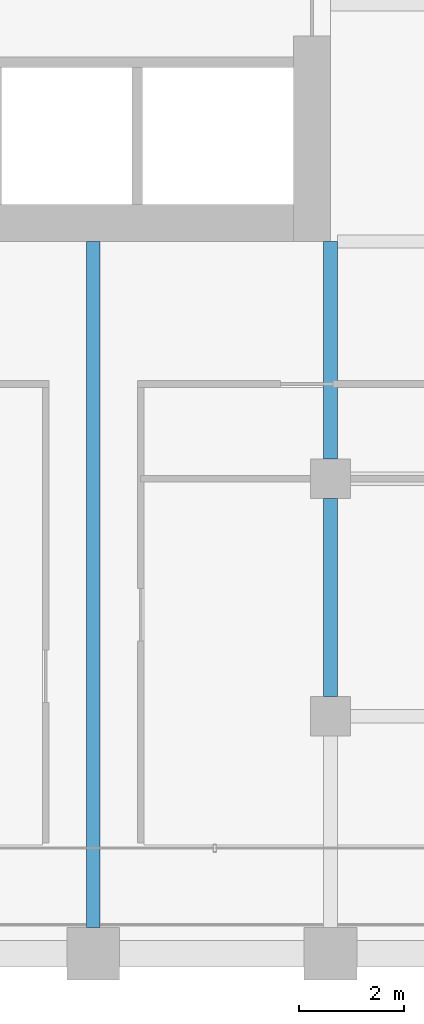
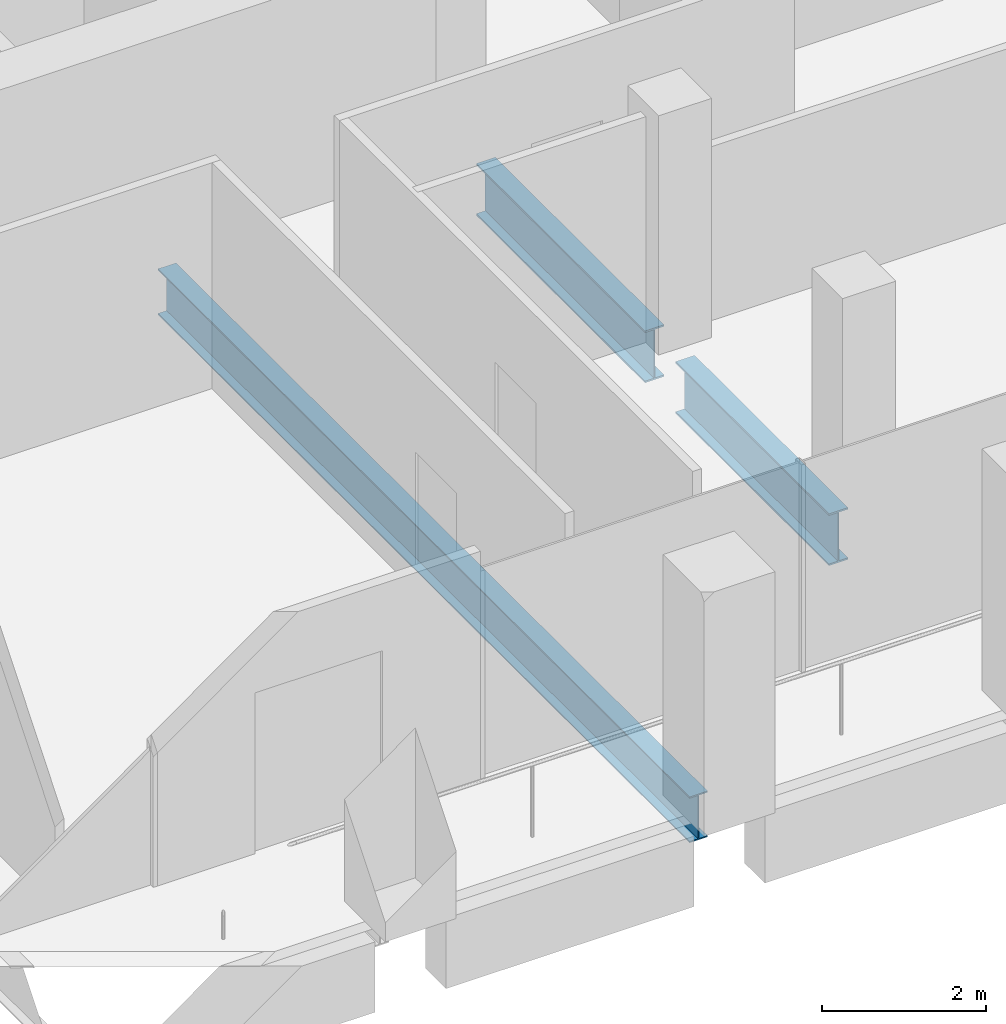
# One storey, part 10 of 46: 3 beams.
"""IFC4 building model written with IfcOpenShell, lengths in metres."""

from ifc_helpers import new_model, si_unit, direction, frame, origin, origin_2d, place, context, subcontext, project, spatial, i_section, extrude, material, material_profile, profile_set, type_object, element, save


model = new_model("IFC4")

# Units and contexts
model_context = context("Model", 3, precision=1e-05, world=origin(), true_north=direction((0.0, 1.0)))
body_context = subcontext(model_context, "Body", "Model", "MODEL_VIEW")
ifc_project = project(units=[si_unit("LENGTHUNIT", "METRE"), si_unit("AREAUNIT", "SQUARE_METRE"), si_unit("VOLUMEUNIT", "CUBIC_METRE"), si_unit("PLANEANGLEUNIT", "RADIAN"), si_unit("MASSUNIT", "GRAM", prefix="KILO")], contexts=[model_context])

# Site, building, storey
site_placement = place(None, origin())
site = spatial("IfcSite", under=ifc_project, at=site_placement, CompositionType="ELEMENT")
building_placement = place(site_placement, origin())
building = spatial("IfcBuilding", under=site, at=building_placement, Name="Altepetl Exchange Towers", CompositionType="ELEMENT")
storey_placement = place(building_placement, frame((0.0, 0.0, 135.199951171875)))
storey = spatial("IfcBuildingStorey", under=building, at=storey_placement, Name="L33", CompositionType="ELEMENT", Elevation=135.199951171875)

# Beams
ifc_material = material(Name="Steel S355", Category="steel")
ifc_material_profile_1 = material_profile(ifc_material, i_section(OverallWidth=0.25390625, OverallDepth=0.68408203125, WebThickness=0.012451171875, FlangeThickness=0.018798828125, at=origin_2d()), Name="W27X94")
ifc_profile_set_1 = profile_set([ifc_material_profile_1], Name="Steel S355")
beam_type_1 = type_object("IfcBeamType", Name="Floor beam W27X94", PredefinedType="BEAM", material=ifc_profile_set_1)
beam_1_placement = place(storey_placement, frame((54.0, 27.5, -0.491943359375), z_axis=(0.0, 1.0, 0.0), x_axis=(-1.0, 0.0, 0.0)))
element("IfcBeam", 1, at=beam_1_placement, inside=storey, type_object=beam_type_1, Name="bm:A:L33:017", PredefinedType="BEAM", context=body_context, shape_type="SweptSolid", body=[
    extrude(i_section(OverallWidth=0.25390625, OverallDepth=0.68408203125, WebThickness=0.012451171875, FlangeThickness=0.018798828125, at=origin_2d()), origin(), (0.0, 0.0, 1.0), 13.0),
])
ifc_material_profile_2 = material_profile(ifc_material, i_section(OverallWidth=0.26806640625, OverallDepth=0.77392578125, WebThickness=0.015380859375, FlangeThickness=0.025390625, at=origin_2d()), Name="W30X132")
ifc_profile_set_2 = profile_set([ifc_material_profile_2], Name="Steel S355")
beam_type_2 = type_object("IfcBeamType", Name="Girder W30X132", PredefinedType="BEAM", material=ifc_profile_set_2)
beam_2_placement = place(storey_placement, frame((58.5, 40.5, -0.536865234375), z_axis=(0.0, -1.0, 0.0), x_axis=(1.0, 0.0, 0.0)))
element("IfcBeam", 2, at=beam_2_placement, inside=storey, type_object=beam_type_2, Name="gd:A:L33:003", PredefinedType="BEAM", context=body_context, shape_type="SweptSolid", body=[
    extrude(i_section(OverallWidth=0.26806640625, OverallDepth=0.77392578125, WebThickness=0.015380859375, FlangeThickness=0.025390625, at=origin_2d()), origin(), (0.0, 0.0, 1.0), 4.125),
])
beam_3_placement = place(storey_placement, frame((58.5, 35.625, -0.536865234375), z_axis=(0.0, -1.0, 0.0), x_axis=(1.0, 0.0, 0.0)))
element("IfcBeam", 3, at=beam_3_placement, inside=storey, type_object=beam_type_2, Name="gd:A:L33:004", PredefinedType="BEAM", context=body_context, shape_type="SweptSolid", body=[
    extrude(i_section(OverallWidth=0.26806640625, OverallDepth=0.77392578125, WebThickness=0.015380859375, FlangeThickness=0.025390625, at=origin_2d()), origin(), (0.0, 0.0, 1.0), 3.75),
])

save(model, "model.ifc")
